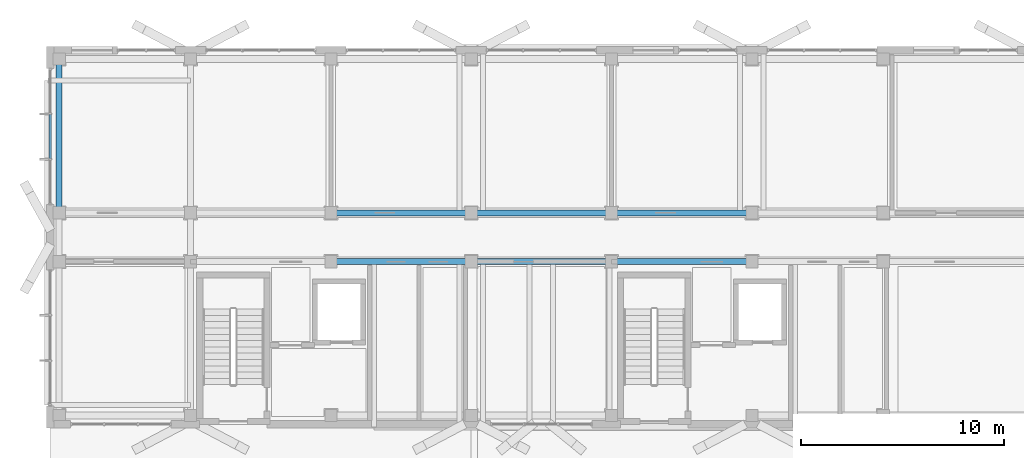
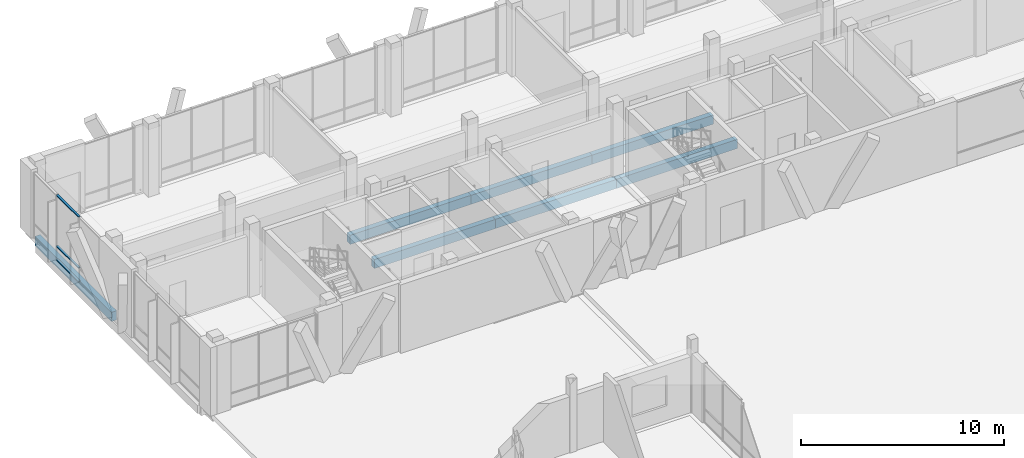
# One storey, part 104 of 233: 7 beams, 3 members, 1 element without a shape of its own.
"""IFC4 building model written with IfcOpenShell, lengths in metres."""

from ifc_helpers import new_model, si_unit, direction, frame, origin, origin_2d, place, context, subcontext, project, spatial, rectangle, hollow_rectangle, extrude, material, material_profile, profile_set, type_object, element, aggregate, save


model = new_model("IFC4")

# Units and contexts
model_context = context("Model", 3, precision=1e-05, world=origin(), true_north=direction((0.0, 1.0)))
body_context = subcontext(model_context, "Body", "Model", "MODEL_VIEW")
ifc_project = project(units=[si_unit("LENGTHUNIT", "METRE"), si_unit("AREAUNIT", "SQUARE_METRE"), si_unit("VOLUMEUNIT", "CUBIC_METRE"), si_unit("PLANEANGLEUNIT", "RADIAN"), si_unit("MASSUNIT", "GRAM", prefix="KILO")], contexts=[model_context])

# Site, building, storey
site_placement = place(None, origin())
site = spatial("IfcSite", under=ifc_project, at=site_placement, CompositionType="ELEMENT")
building_placement = place(site_placement, origin())
building = spatial("IfcBuilding", under=site, at=building_placement, Name="Zavelmont Quarter", CompositionType="ELEMENT")
storey_placement = place(building_placement, origin())
storey = spatial("IfcBuildingStorey", under=building, at=storey_placement, Name="L00", CompositionType="ELEMENT", Elevation=0.0)

# Beams
ifc_material_1 = material(Name="Concrete C35/45", Category="concrete")
ifc_material_profile_1 = material_profile(ifc_material_1, rectangle(XDim=0.300048828125, YDim=0.550048828125, at=origin_2d()), Name="RC300X550")
ifc_profile_set_1 = profile_set([ifc_material_profile_1], Name="Concrete C35/45")
beam_type = type_object("IfcBeamType", Name="BM02", PredefinedType="SPANDREL", material=ifc_profile_set_1)
beam_1_placement = place(storey_placement, frame((13.800048828125, 105.60009765625, -0.594970703125), z_axis=(1.0, 0.0, 0.0), x_axis=(0.0, 1.0, 0.0)))
element("IfcBeam", 1, at=beam_1_placement, inside=storey, type_object=beam_type, Name="L00 beam BM02 3/Q to 4/Q", PredefinedType="SPANDREL", context=body_context, shape_type="SweptSolid", body=[
    extrude(rectangle(XDim=0.300048828125, YDim=0.550048828125, at=origin_2d()), origin(), (0.0, 0.0, 1.0), 6.89990234375),
])
beam_2_placement = place(storey_placement, frame((20.699951171875, 105.60009765625, -0.594970703125), z_axis=(1.0, 0.0, 0.0), x_axis=(0.0, 1.0, 0.0)))
element("IfcBeam", 2, at=beam_2_placement, inside=storey, type_object=beam_type, Name="L00 beam BM02 4/Q to 5/Q", PredefinedType="SPANDREL", context=body_context, shape_type="SweptSolid", body=[
    extrude(rectangle(XDim=0.300048828125, YDim=0.550048828125, at=origin_2d()), origin(), (0.0, 0.0, 1.0), 6.900146484375),
])
for number, where, z_axis, x_axis, name in (
    (3, (27.60009765625, 105.60009765625, -0.594970703125), (1.0, 0.0, 0.0), (0.0, 1.0, 0.0), "L00 beam BM02 5/Q to 6/Q"),
    (4, (13.800048828125, 108.0, -0.594970703125), (1.0, 0.0, 0.0), (0.0, 1.0, 0.0), "L00 beam BM02 3/R to 4/R"),
):
    element("IfcBeam", number, at=place(storey_placement, frame(where, z_axis=z_axis, x_axis=x_axis)), inside=storey, type_object=beam_type, Name=name, PredefinedType="SPANDREL", context=body_context, shape_type="SweptSolid", body=[
        extrude(rectangle(XDim=0.300048828125, YDim=0.550048828125, at=origin_2d()), origin(), (0.0, 0.0, 1.0), 6.89990234375),
    ])
beam_3_placement = place(storey_placement, frame((20.699951171875, 108.0, -0.594970703125), z_axis=(1.0, 0.0, 0.0), x_axis=(0.0, 1.0, 0.0)))
element("IfcBeam", 5, at=beam_3_placement, inside=storey, type_object=beam_type, Name="L00 beam BM02 4/R to 5/R", PredefinedType="SPANDREL", context=body_context, shape_type="SweptSolid", body=[
    extrude(rectangle(XDim=0.300048828125, YDim=0.550048828125, at=origin_2d()), origin(), (0.0, 0.0, 1.0), 6.900146484375),
])
beam_4_placement = place(storey_placement, frame((27.60009765625, 108.0, -0.594970703125), z_axis=(1.0, 0.0, 0.0), x_axis=(0.0, 1.0, 0.0)))
element("IfcBeam", 6, at=beam_4_placement, inside=storey, type_object=beam_type, Name="L00 beam BM02 5/R to 6/R", PredefinedType="SPANDREL", context=body_context, shape_type="SweptSolid", body=[
    extrude(rectangle(XDim=0.300048828125, YDim=0.550048828125, at=origin_2d()), origin(), (0.0, 0.0, 1.0), 6.89990234375),
])
beam_5_placement = place(storey_placement, frame((0.43994140625, 108.0, -0.594970703125), z_axis=(0.0, 1.0, 0.0), x_axis=(-1.0, 0.0, 0.0)))
element("IfcBeam", 7, at=beam_5_placement, inside=storey, type_object=beam_type, Name="L00 beam BM02 1/R to 1/S", PredefinedType="SPANDREL", context=body_context, shape_type="SweptSolid", body=[
    extrude(rectangle(XDim=0.300048828125, YDim=0.550048828125, at=origin_2d()), origin(), (0.0, 0.0, 1.0), 7.56005859375),
])

# Curtain wall, members
ifc_material_2 = material(Name="Thermally broken aluminium and double low-E safety glazing", Category="aluminium")
curtain_wall_type = type_object("IfcCurtainWallType", Name="CW-670X395", PredefinedType="NOTDEFINED", material=ifc_material_2)
curtain_wall_placement = place(storey_placement, origin())
curtain_wall = element("IfcCurtainWall", 8, at=curtain_wall_placement, inside=storey, type_object=curtain_wall_type, Name="L00 unitised curtain wall CW-670X395", PredefinedType="NOTDEFINED")
ifc_material_3 = material(Name="Powder-coated aluminium EN AW-6063-T6", Category="aluminium")
ifc_material_profile_2 = material_profile(ifc_material_3, hollow_rectangle(XDim=0.1201171875, YDim=0.06005859375, WallThickness=0.00390625, at=origin_2d()), Name="CWT60X120")
ifc_profile_set_2 = profile_set([ifc_material_profile_2], Name="Powder-coated aluminium EN AW-6063-T6")
member_type = type_object("IfcMemberType", Name="CWT01", PredefinedType="NOTDEFINED", material=ifc_profile_set_2)
member_1_placement = place(storey_placement, frame((0.0, 110.663330078125, 0.030029296875), z_axis=(0.0, 1.0, 0.0), x_axis=(-1.0, 0.0, 0.0)))
member_1 = element("IfcMember", 9, at=member_1_placement, type_object=member_type, Name="CW-670X395 transom 2.1", ObjectType="TRANSOM", PredefinedType="USERDEFINED", context=body_context, shape_type="SweptSolid", body=[
    extrude(hollow_rectangle(XDim=0.1201171875, YDim=0.06005859375, WallThickness=0.00390625, at=origin_2d()), origin(), (0.0, 0.0, 1.0), 2.17333984375),
])
member_2_placement = place(storey_placement, frame((0.0, 110.663330078125, 0.85009765625), z_axis=(0.0, 1.0, 0.0), x_axis=(-1.0, 0.0, 0.0)))
member_2 = element("IfcMember", 10, at=member_2_placement, type_object=member_type, Name="CW-670X395 transom 2.2", ObjectType="TRANSOM", PredefinedType="USERDEFINED", context=body_context, shape_type="SweptSolid", body=[
    extrude(hollow_rectangle(XDim=0.1201171875, YDim=0.06005859375, WallThickness=0.00390625, at=origin_2d()), origin(), (0.0, 0.0, 1.0), 2.17333984375),
])
member_3_placement = place(storey_placement, frame((0.0, 110.663330078125, 3.919921875), z_axis=(0.0, 1.0, 0.0), x_axis=(-1.0, 0.0, 0.0)))
member_3 = element("IfcMember", 11, at=member_3_placement, type_object=member_type, Name="CW-670X395 transom 2.3", ObjectType="TRANSOM", PredefinedType="USERDEFINED", context=body_context, shape_type="SweptSolid", body=[
    extrude(hollow_rectangle(XDim=0.1201171875, YDim=0.06005859375, WallThickness=0.00390625, at=origin_2d()), origin(), (0.0, 0.0, 1.0), 2.17333984375),
])
aggregate(curtain_wall, [member_1, member_2, member_3])

save(model, "model.ifc")
